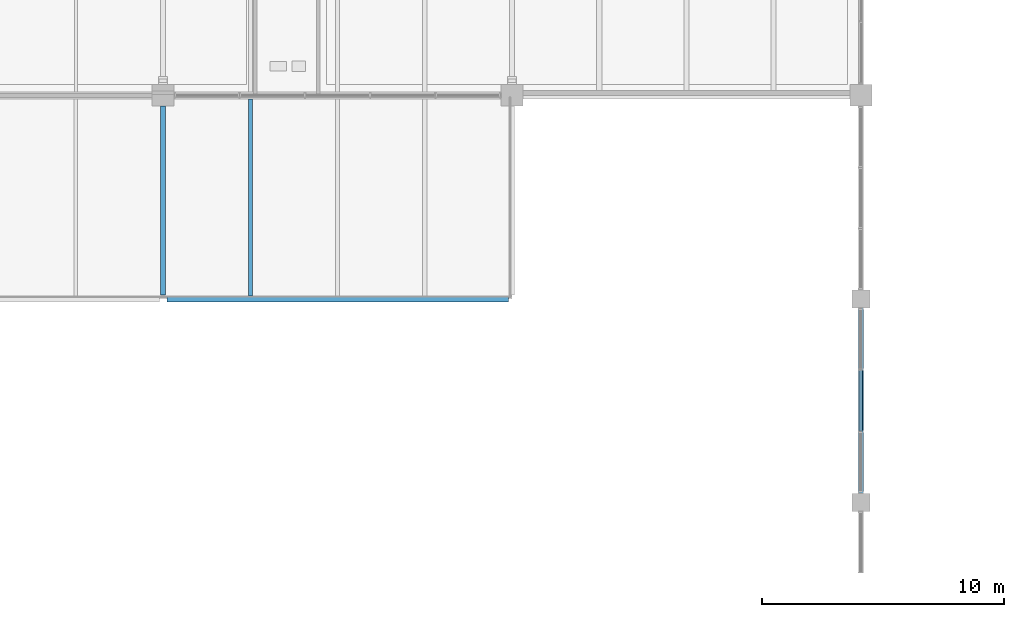
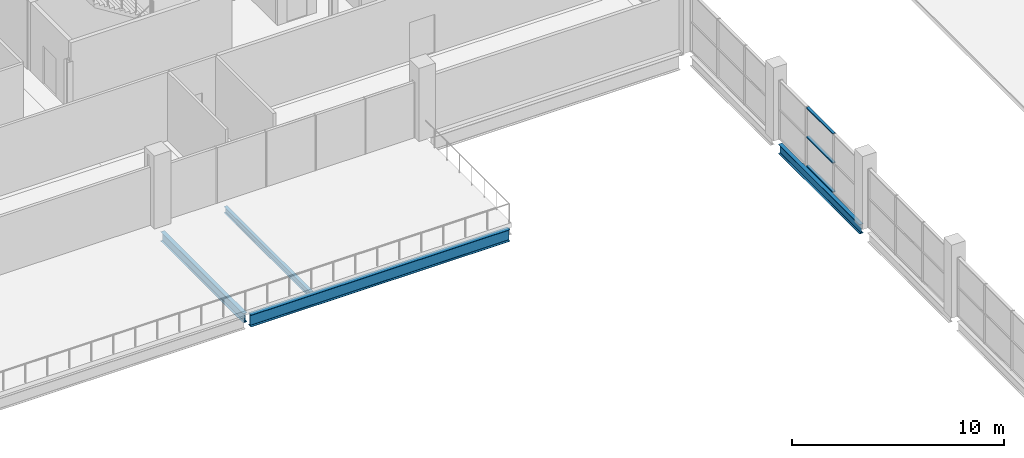
# One storey, part 45 of 93: 4 beams, 3 members, 1 element without a shape of its own.
"""IFC4 building model written with IfcOpenShell, lengths in metres."""

import ifcopenshell
import ifcopenshell.guid

model = None  # the IFC model being written
_history = None  # IfcOwnerHistory: only IFC2X3 demands one
_inside = {}  # id of a spatial element -> (the spatial element, [elements in it])
_under = {}  # id of a project, library or spatial element -> (it, [spatial elements below it])
_declared = {}  # id of a project -> (the project, [libraries it declares])
_typed = {}  # id of a type object -> (the type object, [elements of that type])
_made_of = {}  # id of a material, layer set ... -> (it, [elements and type objects made of it])


def new_model(schema):
    """Start an empty IFC model of exactly this schema.

    Asked for "IFC4X3", IfcOpenShell would pick the latest addendum, in which some entities
    have other attributes; the version numbers below select the first issue.
    IFC2X3 requires an IfcOwnerHistory on every rooted entity: one is made here for all.
    """
    global model, _history
    if schema == "IFC4X3":
        model = ifcopenshell.file(schema_version=(4, 3, 0, 0))
    else:
        model = ifcopenshell.file(schema=schema)
    _inside.clear()
    _under.clear()
    _declared.clear()
    _typed.clear()
    _made_of.clear()
    _history = None
    if model.schema == "IFC2X3":
        org = make("IfcOrganization", Name="unknown")
        user = make(
            "IfcPersonAndOrganization",
            ThePerson=make("IfcPerson", FamilyName="unknown"),
            TheOrganization=org,
        )
        app = make(
            "IfcApplication",
            ApplicationDeveloper=org,
            Version="unknown",
            ApplicationFullName="unknown",
            ApplicationIdentifier="unknown",
        )
        _history = make(
            "IfcOwnerHistory",
            OwningUser=user,
            OwningApplication=app,
            ChangeAction="ADDED",
            CreationDate=0,
        )
    return model


def make(cls, **values):
    """One entity of the class cls with the attributes given. An attribute that is None is left unset."""
    return model.create_entity(
        cls, **{name: value for name, value in values.items() if value is not None}
    )


def rooted(cls, **values):
    """An entity with a GlobalId (a new one), such as an element, a storey or a relation."""
    return make(cls, GlobalId=ifcopenshell.guid.new(), OwnerHistory=_history, **values)


def si_unit(unit_type, name, prefix=None):
    """IfcSIUnit, for example si_unit("LENGTHUNIT", "METRE", prefix="MILLI")."""
    return make("IfcSIUnit", UnitType=unit_type, Prefix=prefix, Name=name)


def assignment(units):
    """IfcUnitAssignment: the units of a project."""
    return None if units is None else make("IfcUnitAssignment", Units=units)


def point(xyz):
    """IfcCartesianPoint."""
    return None if xyz is None else make("IfcCartesianPoint", Coordinates=xyz)


def direction(xyz):
    """IfcDirection."""
    return None if xyz is None else make("IfcDirection", DirectionRatios=xyz)


def frame(location, z_axis=None, x_axis=None):
    """IfcAxis2Placement3D, a coordinate frame: its origin and axes. An axis left out is left unset."""
    return make(
        "IfcAxis2Placement3D",
        Location=point(location),
        Axis=direction(z_axis),
        RefDirection=direction(x_axis),
    )


def frame_2d(location, x_axis=None):
    """IfcAxis2Placement2D, a coordinate frame in the plane: its origin and x axis."""
    return make(
        "IfcAxis2Placement2D", Location=point(location), RefDirection=direction(x_axis)
    )


def origin():
    """The frame at (0, 0, 0) with its axes left unset."""
    return frame((0.0, 0.0, 0.0))


def origin_2d():
    """The frame at (0, 0) in the plane with its x axis left unset."""
    return frame_2d((0.0, 0.0))


def place(relative_to, where):
    """IfcLocalPlacement: puts the frame where relative to a parent placement (None: the world)."""
    return make(
        "IfcLocalPlacement", PlacementRelTo=relative_to, RelativePlacement=where
    )


def context(
    kind, dimensions, precision=None, world=None, true_north=None, identifier=None
):
    """IfcGeometricRepresentationContext, for example the 3D "Model" context."""
    return make(
        "IfcGeometricRepresentationContext",
        ContextIdentifier=identifier,
        ContextType=kind,
        CoordinateSpaceDimension=dimensions,
        Precision=precision,
        WorldCoordinateSystem=world,
        TrueNorth=true_north,
    )


def subcontext(parent, identifier, kind, view, scale=None):
    """IfcGeometricRepresentationSubContext, for example "Body" below "Model"."""
    return make(
        "IfcGeometricRepresentationSubContext",
        ContextIdentifier=identifier,
        ContextType=kind,
        ParentContext=parent,
        TargetScale=scale,
        TargetView=view,
    )


def project(units=None, contexts=None):
    """IfcProject with its units and contexts."""
    return rooted(
        "IfcProject",
        Name="project",
        RepresentationContexts=contexts,
        UnitsInContext=assignment(units),
    )


def spatial(cls, under=None, at=None, **own):
    """A site, building, storey or space (cls), placed at a placement, below another one or the project."""
    s = rooted(cls, ObjectPlacement=at, **own)
    if under is not None:
        _under.setdefault(under.id(), (under, []))[1].append(s)
    return s


def profile(cls, at=None, kind="AREA", **sizes):
    """A parametric profile (cls). Its sizes go by their IFC names, for example OverallWidth=200.0."""
    return make(cls, ProfileType=kind, Position=at, **sizes)


def hollow_rectangle(**sizes):
    """IfcRectangleHollowProfileDef."""
    return profile("IfcRectangleHollowProfileDef", **sizes)


def i_section(**sizes):
    """IfcIShapeProfileDef."""
    return profile("IfcIShapeProfileDef", **sizes)


def extrude(swept, where, along, depth):
    """IfcExtrudedAreaSolid: the profile swept, set in the frame where, extruded along a direction by depth."""
    return make(
        "IfcExtrudedAreaSolid",
        SweptArea=swept,
        Position=where,
        ExtrudedDirection=direction(along),
        Depth=depth,
    )


def shape(context_of_items, identifier, shape_type, items):
    """IfcShapeRepresentation: the items that make up one representation, for example the "Body"."""
    return make(
        "IfcShapeRepresentation",
        ContextOfItems=context_of_items,
        RepresentationIdentifier=identifier,
        RepresentationType=shape_type,
        Items=items,
    )


def material(Name=None, Category=None):
    """IfcMaterial."""
    return make("IfcMaterial", Name=Name, Category=Category)


def material_profile(
    of_material, cross_section, Name=None, Category=None, Priority=None
):
    """IfcMaterialProfile: a cross section and its material."""
    return make(
        "IfcMaterialProfile",
        Name=Name,
        Material=of_material,
        Profile=cross_section,
        Priority=Priority,
        Category=Category,
    )


def profile_set(profiles, Name=None, composite=None):
    """IfcMaterialProfileSet."""
    return make(
        "IfcMaterialProfileSet",
        Name=Name,
        MaterialProfiles=profiles,
        CompositeProfile=composite,
    )


def made_of(thing, what):
    """Note that an element or type object is made of a material, layer set ...; save() writes the relation."""
    if what is not None:
        _made_of.setdefault(what.id(), (what, []))[1].append(thing)
    return thing


def type_object(cls, material=None, **own):
    """A type object (cls), such as IfcWallType, which elements share."""
    return made_of(rooted(cls, **own), material)


def element(
    cls,
    number,
    at=None,
    inside=None,
    cuts=None,
    type_object=None,
    material=None,
    context=None,
    identifier="Body",
    shape_type=None,
    held_by="IfcProductDefinitionShape",
    body=None,
    shapes=None,
    **own,
):
    """One element of the class cls, such as IfcWall. Its Tag is "e" and its number.

    at: its placement. inside: the storey or other place that contains it. cuts: it is an
    opening in that element (IfcRelVoidsElement). A single representation is given by context,
    identifier, shape_type and body (its items); several are given by shapes. held_by: the class
    of the entity that holds the representations. save() writes the other relations.
    """
    e = rooted(cls, Tag="e%d" % number, ObjectPlacement=at, **own)
    if body is not None:
        shapes = [shape(context, identifier, shape_type, body)]
    if shapes is not None:
        e.Representation = make(held_by, Representations=shapes)
    if inside is not None:
        _inside.setdefault(inside.id(), (inside, []))[1].append(e)
    if cuts is not None:
        rooted(
            "IfcRelVoidsElement", RelatingBuildingElement=cuts, RelatedOpeningElement=e
        )
    if type_object is not None:
        _typed.setdefault(type_object.id(), (type_object, []))[1].append(e)
    return made_of(e, material)


def aggregate(whole, parts):
    """IfcRelAggregates: a whole, such as a stair, and the parts it consists of."""
    return rooted("IfcRelAggregates", RelatingObject=whole, RelatedObjects=parts)


def save(model, path):
    """Write the relations noted so far, then the file.

    IfcRelAggregates (storeys below a building ...), IfcRelContainedInSpatialStructure (elements
    in a storey), IfcRelDefinesByType, IfcRelAssociatesMaterial and IfcRelDeclares: one each for
    every whole, place, type object, material and project.
    """
    for whole, parts in _under.values():
        aggregate(whole, parts)
    for where, things in _inside.values():
        rooted(
            "IfcRelContainedInSpatialStructure",
            RelatedElements=things,
            RelatingStructure=where,
        )
    for kind, things in _typed.values():
        rooted("IfcRelDefinesByType", RelatedObjects=things, RelatingType=kind)
    for what, things in _made_of.values():
        rooted("IfcRelAssociatesMaterial", RelatedObjects=things, RelatingMaterial=what)
    for by, libraries in _declared.values():
        rooted("IfcRelDeclares", RelatingContext=by, RelatedDefinitions=libraries)
    model.write(path)


model = new_model("IFC4")

# Units and contexts
model_context = context("Model", 3, precision=1e-05, world=origin(), true_north=direction((0.0, 1.0)))
body_context = subcontext(model_context, "Body", "Model", "MODEL_VIEW")
ifc_project = project(units=[si_unit("LENGTHUNIT", "METRE"), si_unit("AREAUNIT", "SQUARE_METRE"), si_unit("VOLUMEUNIT", "CUBIC_METRE"), si_unit("PLANEANGLEUNIT", "RADIAN"), si_unit("MASSUNIT", "GRAM", prefix="KILO"), si_unit("THERMODYNAMICTEMPERATUREUNIT", "KELVIN")], contexts=[model_context])

# Site, building, storey
site_placement = place(None, origin())
site = spatial("IfcSite", under=ifc_project, at=site_placement, CompositionType="ELEMENT")
building_placement = place(site_placement, origin())
building = spatial("IfcBuilding", under=site, at=building_placement, Name="Nduvali Passage Aquatics Centre", CompositionType="ELEMENT")
storey_placement = place(building_placement, frame((0.0, 0.0, 9.0)))
storey = spatial("IfcBuildingStorey", under=building, at=storey_placement, Name="L02", CompositionType="ELEMENT", Elevation=9.0)

# Curtain wall, members
ifc_material_1 = material(Name="Aluminium EN AW-6063 T6", Category="aluminium")
curtain_wall_type = type_object("IfcCurtainWallType", Name="ENV-CW-CLER", PredefinedType="NOTDEFINED", material=ifc_material_1)
curtain_wall_placement = place(storey_placement, origin())
curtain_wall = element("IfcCurtainWall", 1, at=curtain_wall_placement, inside=storey, type_object=curtain_wall_type, Name="L02 East Passage Pool Hall Mid Clerestory 039", PredefinedType="NOTDEFINED")
ifc_material_profile_1 = material_profile(ifc_material_1, hollow_rectangle(XDim=0.14990234375, YDim=0.06005859375, WallThickness=0.00390625, at=origin_2d()), Name="ALU TRANSOM 150x60x4")
ifc_profile_set_1 = profile_set([ifc_material_profile_1], Name="Aluminium EN AW-6063 T6")
member_type = type_object("IfcMemberType", Name="ENV-MEM-TRN80", PredefinedType="USERDEFINED", material=ifc_profile_set_1)
member_1_placement = place(storey_placement, frame((126.0, 78.554931640625, 0.030029296875), z_axis=(0.0, 1.0, 0.0), x_axis=(-1.0, 0.0, 0.0)))
member_1 = element("IfcMember", 2, at=member_1_placement, type_object=member_type, Name="East Passage Pool Hall Mid Clerestory Transom B2-R0", ObjectType="TRANSOM", PredefinedType="USERDEFINED", context=body_context, shape_type="SweptSolid", body=[
    extrude(hollow_rectangle(XDim=0.14990234375, YDim=0.06005859375, WallThickness=0.00390625, at=origin_2d()), origin(), (0.0, 0.0, 1.0), 2.489990234375),
])
member_2_placement = place(storey_placement, frame((126.0, 78.554931640625, 1.703125), z_axis=(0.0, 1.0, 0.0), x_axis=(-1.0, 0.0, 0.0)))
member_2 = element("IfcMember", 3, at=member_2_placement, type_object=member_type, Name="East Passage Pool Hall Mid Clerestory Transom B2-R1", ObjectType="TRANSOM", PredefinedType="USERDEFINED", context=body_context, shape_type="SweptSolid", body=[
    extrude(hollow_rectangle(XDim=0.14990234375, YDim=0.06005859375, WallThickness=0.00390625, at=origin_2d()), origin(), (0.0, 0.0, 1.0), 2.489990234375),
])
member_3_placement = place(storey_placement, frame((126.0, 78.554931640625, 3.37646484375), z_axis=(0.0, 1.0, 0.0), x_axis=(-1.0, 0.0, 0.0)))
member_3 = element("IfcMember", 4, at=member_3_placement, type_object=member_type, Name="East Passage Pool Hall Mid Clerestory Transom B2-R2", ObjectType="TRANSOM", PredefinedType="USERDEFINED", context=body_context, shape_type="SweptSolid", body=[
    extrude(hollow_rectangle(XDim=0.14990234375, YDim=0.06005859375, WallThickness=0.00390625, at=origin_2d()), origin(), (0.0, 0.0, 1.0), 2.489990234375),
])
aggregate(curtain_wall, [member_1, member_2, member_3])

# Beams
ifc_material_2 = material(Name="Steel S355", Category="steel")
ifc_material_profile_2 = material_profile(ifc_material_2, i_section(OverallWidth=0.210693359375, OverallDepth=0.53955078125, WebThickness=0.01171875, FlangeThickness=0.018798828125, FilletRadius=0.0126953125, at=origin_2d()), Name="UKB 533x210x109")
ifc_profile_set_2 = profile_set([ifc_material_profile_2], Name="Steel S355")
beam_type_1 = type_object("IfcBeamType", Name="STR-BM-UKB533", PredefinedType="BEAM", material=ifc_profile_set_2)
beam_1_placement = place(storey_placement, frame((97.199951171875, 84.160400390625, -0.53369140625), z_axis=(0.0, 1.0, 0.0), x_axis=(-1.0, 0.0, 0.0)))
element("IfcBeam", 5, at=beam_1_placement, inside=storey, type_object=beam_type_1, Name="L02 Primary Y-Girder B6-0996", PredefinedType="BEAM", context=body_context, shape_type="SweptSolid", body=[
    extrude(i_section(OverallWidth=0.210693359375, OverallDepth=0.53955078125, WebThickness=0.01171875, FlangeThickness=0.018798828125, FilletRadius=0.0126953125, at=origin_2d()), origin(), (0.0, 0.0, 1.0), 7.78955078125),
])
ifc_material_profile_3 = material_profile(ifc_material_2, i_section(OverallWidth=0.210693359375, OverallDepth=0.53955078125, WebThickness=0.01171875, FlangeThickness=0.018798828125, FilletRadius=0.0126953125, at=origin_2d()), Name="UKB 533x210x109")
ifc_profile_set_3 = profile_set([ifc_material_profile_3], Name="Steel S355")
beam_type_2 = type_object("IfcBeamType", Name="STR-BM-UKB533-EXT", PredefinedType="BEAM", material=ifc_profile_set_3)
beam_2_placement = place(storey_placement, frame((126.0, 75.97509765625, -0.53369140625), z_axis=(0.0, 1.0, 0.0), x_axis=(-1.0, 0.0, 0.0)))
element("IfcBeam", 6, at=beam_2_placement, inside=storey, type_object=beam_type_2, Name="L02 Primary Y-Girder B6E-1016", PredefinedType="BEAM", context=body_context, shape_type="SweptSolid", body=[
    extrude(i_section(OverallWidth=0.210693359375, OverallDepth=0.53955078125, WebThickness=0.01171875, FlangeThickness=0.018798828125, FilletRadius=0.0126953125, at=origin_2d()), origin(), (0.0, 0.0, 1.0), 7.64990234375),
])
ifc_material_profile_4 = material_profile(ifc_material_2, i_section(OverallWidth=0.253662109375, OverallDepth=0.68359375, WebThickness=0.012451171875, FlangeThickness=0.01904296875, FilletRadius=0.01513671875, at=origin_2d()), Name="UKB 686x254x140")
ifc_profile_set_4 = profile_set([ifc_material_profile_4], Name="Steel S355")
beam_type_3 = type_object("IfcBeamType", Name="STR-BM-UKB686", PredefinedType="BEAM", material=ifc_profile_set_4)
beam_3_placement = place(storey_placement, frame((97.3544921875, 84.0, -0.605712890625), z_axis=(1.0, 0.0, 0.0), x_axis=(0.0, 1.0, 0.0)))
element("IfcBeam", 7, at=beam_3_placement, inside=storey, type_object=beam_type_3, Name="L02 Primary X-Girder B4-0917", PredefinedType="BEAM", context=body_context, shape_type="SweptSolid", body=[
    extrude(i_section(OverallWidth=0.253662109375, OverallDepth=0.68359375, WebThickness=0.012451171875, FlangeThickness=0.01904296875, FilletRadius=0.01513671875, at=origin_2d()), origin(), (0.0, 0.0, 1.0), 14.0908203125),
])
ifc_material_profile_5 = material_profile(ifc_material_2, i_section(OverallWidth=0.172119140625, OverallDepth=0.35791015625, WebThickness=0.008056640625, FlangeThickness=0.012939453125, FilletRadius=0.01025390625, at=origin_2d()), Name="UKB 356x171x57")
ifc_profile_set_5 = profile_set([ifc_material_profile_5], Name="Steel S355")
beam_type_4 = type_object("IfcBeamType", Name="STR-JST-UKB356", PredefinedType="JOIST", material=ifc_profile_set_5)
beam_4_placement = place(storey_placement, frame((100.800048828125, 84.126708984375, -0.443115234375), z_axis=(0.0, 1.0, 0.0), x_axis=(-1.0, 0.0, 0.0)))
element("IfcBeam", 8, at=beam_4_placement, inside=storey, type_object=beam_type_4, Name="L02 Secondary Joist J2-1149", PredefinedType="JOIST", context=body_context, shape_type="SweptSolid", body=[
    extrude(i_section(OverallWidth=0.172119140625, OverallDepth=0.35791015625, WebThickness=0.008056640625, FlangeThickness=0.012939453125, FilletRadius=0.01025390625, at=origin_2d()), origin(), (0.0, 0.0, 1.0), 8.127197265625),
])

save(model, "model.ifc")
